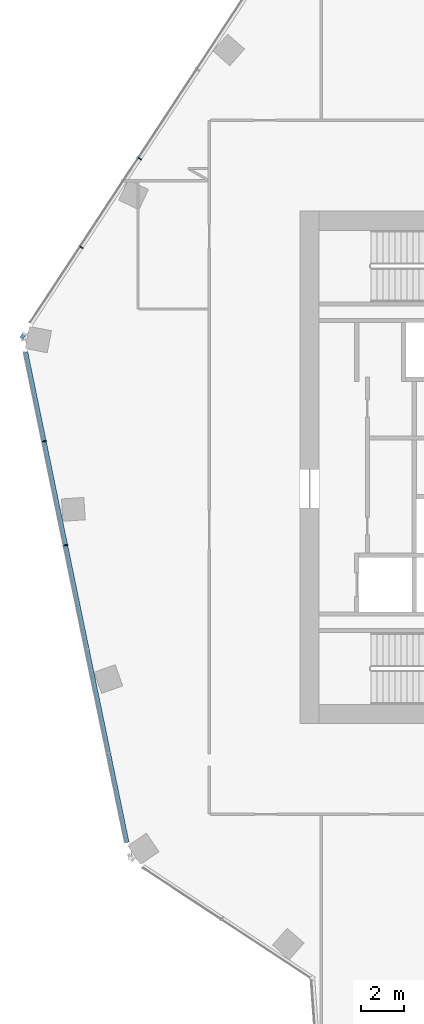
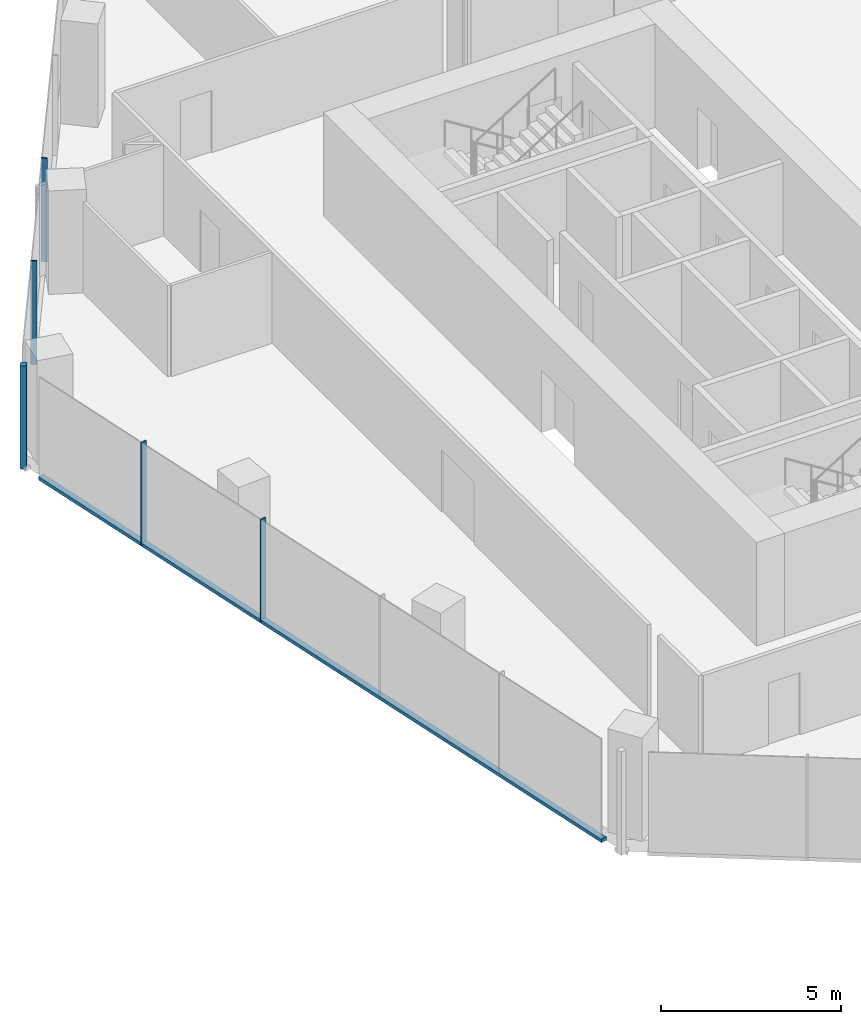
# One storey, part 6 of 24: 6 members, 2 elements without a shape of their own.
"""IFC4 building model written with IfcOpenShell, lengths in metres."""

import ifcopenshell
import ifcopenshell.guid

model = None  # the IFC model being written
_history = None  # IfcOwnerHistory: only IFC2X3 demands one
_inside = {}  # id of a spatial element -> (the spatial element, [elements in it])
_under = {}  # id of a project, library or spatial element -> (it, [spatial elements below it])
_declared = {}  # id of a project -> (the project, [libraries it declares])
_typed = {}  # id of a type object -> (the type object, [elements of that type])
_made_of = {}  # id of a material, layer set ... -> (it, [elements and type objects made of it])


def new_model(schema):
    """Start an empty IFC model of exactly this schema.

    Asked for "IFC4X3", IfcOpenShell would pick the latest addendum, in which some entities
    have other attributes; the version numbers below select the first issue.
    IFC2X3 requires an IfcOwnerHistory on every rooted entity: one is made here for all.
    """
    global model, _history
    if schema == "IFC4X3":
        model = ifcopenshell.file(schema_version=(4, 3, 0, 0))
    else:
        model = ifcopenshell.file(schema=schema)
    _inside.clear()
    _under.clear()
    _declared.clear()
    _typed.clear()
    _made_of.clear()
    _history = None
    if model.schema == "IFC2X3":
        org = make("IfcOrganization", Name="unknown")
        user = make(
            "IfcPersonAndOrganization",
            ThePerson=make("IfcPerson", FamilyName="unknown"),
            TheOrganization=org,
        )
        app = make(
            "IfcApplication",
            ApplicationDeveloper=org,
            Version="unknown",
            ApplicationFullName="unknown",
            ApplicationIdentifier="unknown",
        )
        _history = make(
            "IfcOwnerHistory",
            OwningUser=user,
            OwningApplication=app,
            ChangeAction="ADDED",
            CreationDate=0,
        )
    return model


def make(cls, **values):
    """One entity of the class cls with the attributes given. An attribute that is None is left unset."""
    return model.create_entity(
        cls, **{name: value for name, value in values.items() if value is not None}
    )


def rooted(cls, **values):
    """An entity with a GlobalId (a new one), such as an element, a storey or a relation."""
    return make(cls, GlobalId=ifcopenshell.guid.new(), OwnerHistory=_history, **values)


def si_unit(unit_type, name, prefix=None):
    """IfcSIUnit, for example si_unit("LENGTHUNIT", "METRE", prefix="MILLI")."""
    return make("IfcSIUnit", UnitType=unit_type, Prefix=prefix, Name=name)


def assignment(units):
    """IfcUnitAssignment: the units of a project."""
    return None if units is None else make("IfcUnitAssignment", Units=units)


def point(xyz):
    """IfcCartesianPoint."""
    return None if xyz is None else make("IfcCartesianPoint", Coordinates=xyz)


def direction(xyz):
    """IfcDirection."""
    return None if xyz is None else make("IfcDirection", DirectionRatios=xyz)


def frame(location, z_axis=None, x_axis=None):
    """IfcAxis2Placement3D, a coordinate frame: its origin and axes. An axis left out is left unset."""
    return make(
        "IfcAxis2Placement3D",
        Location=point(location),
        Axis=direction(z_axis),
        RefDirection=direction(x_axis),
    )


def frame_2d(location, x_axis=None):
    """IfcAxis2Placement2D, a coordinate frame in the plane: its origin and x axis."""
    return make(
        "IfcAxis2Placement2D", Location=point(location), RefDirection=direction(x_axis)
    )


def origin():
    """The frame at (0, 0, 0) with its axes left unset."""
    return frame((0.0, 0.0, 0.0))


def origin_2d():
    """The frame at (0, 0) in the plane with its x axis left unset."""
    return frame_2d((0.0, 0.0))


def place(relative_to, where):
    """IfcLocalPlacement: puts the frame where relative to a parent placement (None: the world)."""
    return make(
        "IfcLocalPlacement", PlacementRelTo=relative_to, RelativePlacement=where
    )


def context(
    kind, dimensions, precision=None, world=None, true_north=None, identifier=None
):
    """IfcGeometricRepresentationContext, for example the 3D "Model" context."""
    return make(
        "IfcGeometricRepresentationContext",
        ContextIdentifier=identifier,
        ContextType=kind,
        CoordinateSpaceDimension=dimensions,
        Precision=precision,
        WorldCoordinateSystem=world,
        TrueNorth=true_north,
    )


def subcontext(parent, identifier, kind, view, scale=None):
    """IfcGeometricRepresentationSubContext, for example "Body" below "Model"."""
    return make(
        "IfcGeometricRepresentationSubContext",
        ContextIdentifier=identifier,
        ContextType=kind,
        ParentContext=parent,
        TargetScale=scale,
        TargetView=view,
    )


def project(units=None, contexts=None):
    """IfcProject with its units and contexts."""
    return rooted(
        "IfcProject",
        Name="project",
        RepresentationContexts=contexts,
        UnitsInContext=assignment(units),
    )


def spatial(cls, under=None, at=None, **own):
    """A site, building, storey or space (cls), placed at a placement, below another one or the project."""
    s = rooted(cls, ObjectPlacement=at, **own)
    if under is not None:
        _under.setdefault(under.id(), (under, []))[1].append(s)
    return s


def profile(cls, at=None, kind="AREA", **sizes):
    """A parametric profile (cls). Its sizes go by their IFC names, for example OverallWidth=200.0."""
    return make(cls, ProfileType=kind, Position=at, **sizes)


def rectangle(**sizes):
    """IfcRectangleProfileDef."""
    return profile("IfcRectangleProfileDef", **sizes)


def extrude(swept, where, along, depth):
    """IfcExtrudedAreaSolid: the profile swept, set in the frame where, extruded along a direction by depth."""
    return make(
        "IfcExtrudedAreaSolid",
        SweptArea=swept,
        Position=where,
        ExtrudedDirection=direction(along),
        Depth=depth,
    )


def shape(context_of_items, identifier, shape_type, items):
    """IfcShapeRepresentation: the items that make up one representation, for example the "Body"."""
    return make(
        "IfcShapeRepresentation",
        ContextOfItems=context_of_items,
        RepresentationIdentifier=identifier,
        RepresentationType=shape_type,
        Items=items,
    )


def material(Name=None, Category=None):
    """IfcMaterial."""
    return make("IfcMaterial", Name=Name, Category=Category)


def material_profile(
    of_material, cross_section, Name=None, Category=None, Priority=None
):
    """IfcMaterialProfile: a cross section and its material."""
    return make(
        "IfcMaterialProfile",
        Name=Name,
        Material=of_material,
        Profile=cross_section,
        Priority=Priority,
        Category=Category,
    )


def profile_set(profiles, Name=None, composite=None):
    """IfcMaterialProfileSet."""
    return make(
        "IfcMaterialProfileSet",
        Name=Name,
        MaterialProfiles=profiles,
        CompositeProfile=composite,
    )


def made_of(thing, what):
    """Note that an element or type object is made of a material, layer set ...; save() writes the relation."""
    if what is not None:
        _made_of.setdefault(what.id(), (what, []))[1].append(thing)
    return thing


def type_object(cls, material=None, **own):
    """A type object (cls), such as IfcWallType, which elements share."""
    return made_of(rooted(cls, **own), material)


def element(
    cls,
    number,
    at=None,
    inside=None,
    cuts=None,
    type_object=None,
    material=None,
    context=None,
    identifier="Body",
    shape_type=None,
    held_by="IfcProductDefinitionShape",
    body=None,
    shapes=None,
    **own,
):
    """One element of the class cls, such as IfcWall. Its Tag is "e" and its number.

    at: its placement. inside: the storey or other place that contains it. cuts: it is an
    opening in that element (IfcRelVoidsElement). A single representation is given by context,
    identifier, shape_type and body (its items); several are given by shapes. held_by: the class
    of the entity that holds the representations. save() writes the other relations.
    """
    e = rooted(cls, Tag="e%d" % number, ObjectPlacement=at, **own)
    if body is not None:
        shapes = [shape(context, identifier, shape_type, body)]
    if shapes is not None:
        e.Representation = make(held_by, Representations=shapes)
    if inside is not None:
        _inside.setdefault(inside.id(), (inside, []))[1].append(e)
    if cuts is not None:
        rooted(
            "IfcRelVoidsElement", RelatingBuildingElement=cuts, RelatedOpeningElement=e
        )
    if type_object is not None:
        _typed.setdefault(type_object.id(), (type_object, []))[1].append(e)
    return made_of(e, material)


def aggregate(whole, parts):
    """IfcRelAggregates: a whole, such as a stair, and the parts it consists of."""
    return rooted("IfcRelAggregates", RelatingObject=whole, RelatedObjects=parts)


def save(model, path):
    """Write the relations noted so far, then the file.

    IfcRelAggregates (storeys below a building ...), IfcRelContainedInSpatialStructure (elements
    in a storey), IfcRelDefinesByType, IfcRelAssociatesMaterial and IfcRelDeclares: one each for
    every whole, place, type object, material and project.
    """
    for whole, parts in _under.values():
        aggregate(whole, parts)
    for where, things in _inside.values():
        rooted(
            "IfcRelContainedInSpatialStructure",
            RelatedElements=things,
            RelatingStructure=where,
        )
    for kind, things in _typed.values():
        rooted("IfcRelDefinesByType", RelatedObjects=things, RelatingType=kind)
    for what, things in _made_of.values():
        rooted("IfcRelAssociatesMaterial", RelatedObjects=things, RelatingMaterial=what)
    for by, libraries in _declared.values():
        rooted("IfcRelDeclares", RelatingContext=by, RelatedDefinitions=libraries)
    model.write(path)


model = new_model("IFC4")

# Units and contexts
model_context = context("Model", 3, precision=1e-05, world=origin(), true_north=direction((0.0, 1.0)))
body_context = subcontext(model_context, "Body", "Model", "MODEL_VIEW")
ifc_project = project(units=[si_unit("LENGTHUNIT", "METRE"), si_unit("AREAUNIT", "SQUARE_METRE"), si_unit("VOLUMEUNIT", "CUBIC_METRE"), si_unit("PLANEANGLEUNIT", "RADIAN"), si_unit("MASSUNIT", "GRAM", prefix="KILO")], contexts=[model_context])

# Site, building, storey
site_placement = place(None, origin())
site = spatial("IfcSite", under=ifc_project, at=site_placement, CompositionType="ELEMENT")
building_placement = place(site_placement, origin())
building = spatial("IfcBuilding", under=site, at=building_placement, Name="Orlundy Tower", CompositionType="ELEMENT")
storey_placement = place(building_placement, frame((0.0, 0.0, 242.5)))
storey = spatial("IfcBuildingStorey", under=building, at=storey_placement, Name="L64", CompositionType="ELEMENT", Elevation=242.5)

# Curtain wall, member
ifc_material_1 = material(Name="Aluminium bronze anodised", Category="aluminium")
curtain_wall_type = type_object("IfcCurtainWallType", Name="CW1 wall", PredefinedType="NOTDEFINED", material=ifc_material_1)
curtain_wall_1_placement = place(storey_placement, origin())
curtain_wall_1 = element("IfcCurtainWall", 1, at=curtain_wall_1_placement, inside=storey, type_object=curtain_wall_type, Name="CW1 run 015", PredefinedType="NOTDEFINED")
ifc_material_2 = material(Name="Aluminium bronze anodised", Category="aluminium")
ifc_material_profile_1 = material_profile(ifc_material_2, rectangle(XDim=0.179931640625, YDim=0.179931640625, at=origin_2d()), Name="CW1 corner post 180x180")
ifc_profile_set_1 = profile_set([ifc_material_profile_1], Name="Aluminium bronze anodised")
member_type_1 = type_object("IfcMemberType", Name="CW1 corner post 180x180", PredefinedType="MULLION", material=ifc_profile_set_1)
member_1_placement = place(storey_placement, frame((-31.98876953125, 6.121337890625, -0.39990234375), z_axis=(0.0, 0.0, 1.0), x_axis=(-0.835482225793, 0.5495174705, 0.0)))
member_1 = element("IfcMember", 2, at=member_1_placement, type_object=member_type_1, Name="CW1 mullion 27", PredefinedType="MULLION", context=body_context, shape_type="SweptSolid", body=[
    extrude(rectangle(XDim=0.179931640625, YDim=0.179931640625, at=origin_2d()), origin(), (0.0, 0.0, 1.0), 3.5),
])

# Curtain wall, members
curtain_wall_2_placement = place(storey_placement, origin())
curtain_wall_2 = element("IfcCurtainWall", 3, at=curtain_wall_2_placement, inside=storey, type_object=curtain_wall_type, Name="CW1 run 014", PredefinedType="NOTDEFINED")
ifc_material_3 = material(Name="Aluminium bronze anodised", Category="aluminium")
ifc_material_profile_2 = material_profile(ifc_material_3, rectangle(XDim=0.179931640625, YDim=0.050048828125, at=origin_2d()), Name="CW1 mullion 50x180")
ifc_profile_set_2 = profile_set([ifc_material_profile_2], Name="Aluminium bronze anodised")
member_type_2 = type_object("IfcMemberType", Name="CW1 mullion 50x180", PredefinedType="MULLION", material=ifc_profile_set_2)
member_2_placement = place(storey_placement, frame((-29.970703125, -3.65087890625, -0.39990234375), z_axis=(0.0, 0.0, 1.0), x_axis=(-0.979337428215, -0.202233038095, 0.0)))
member_2 = element("IfcMember", 4, at=member_2_placement, type_object=member_type_2, Name="CW1 mullion 25", PredefinedType="MULLION", context=body_context, shape_type="SweptSolid", body=[
    extrude(rectangle(XDim=0.179931640625, YDim=0.050048828125, at=origin_2d()), origin(), (0.0, 0.0, 1.0), 3.5),
])
member_3_placement = place(storey_placement, frame((-30.975830078125, 1.217041015625, -0.39990234375), z_axis=(0.0, 0.0, 1.0), x_axis=(-0.979337428215, -0.202233038095, 0.0)))
member_3 = element("IfcMember", 5, at=member_3_placement, type_object=member_type_2, Name="CW1 mullion 26", PredefinedType="MULLION", context=body_context, shape_type="SweptSolid", body=[
    extrude(rectangle(XDim=0.179931640625, YDim=0.050048828125, at=origin_2d()), origin(), (0.0, 0.0, 1.0), 3.5),
])

# Member
member_4_placement = place(storey_placement, frame((-29.23681640625, 10.30517578125, -0.39990234375), z_axis=(0.0, 0.0, 1.0), x_axis=(-0.835482225793, 0.5495174705, 0.0)))
member_4 = element("IfcMember", 6, at=member_4_placement, type_object=member_type_2, Name="CW1 mullion 28", PredefinedType="MULLION", context=body_context, shape_type="SweptSolid", body=[
    extrude(rectangle(XDim=0.179931640625, YDim=0.050048828125, at=origin_2d()), origin(), (0.0, 0.0, 1.0), 3.5),
])

member_5_placement = place(storey_placement, frame((-26.50537109375, 14.4580078125, -0.39990234375), z_axis=(0.0, 0.0, 1.0), x_axis=(-0.835482225793, 0.5495174705, 0.0)))
member_5 = element("IfcMember", 7, at=member_5_placement, type_object=member_type_2, Name="CW1 mullion 29", PredefinedType="MULLION", context=body_context, shape_type="SweptSolid", body=[
    extrude(rectangle(XDim=0.179931640625, YDim=0.050048828125, at=origin_2d()), origin(), (0.0, 0.0, 1.0), 3.5),
])

aggregate(curtain_wall_1, [member_1, member_4, member_5])

ifc_material_4 = material(Name="Aluminium bronze anodised", Category="aluminium")
ifc_material_profile_3 = material_profile(ifc_material_4, rectangle(XDim=0.179931640625, YDim=0.1201171875, at=origin_2d()), Name="CW1 transom 180x120")
ifc_profile_set_3 = profile_set([ifc_material_profile_3], Name="Aluminium bronze anodised")
member_type_3 = type_object("IfcMemberType", Name="CW1 transom 180x120", PredefinedType="USERDEFINED", material=ifc_profile_set_3)
member_6_placement = place(storey_placement, frame((-27.095458984375, -17.57470703125, -0.340087890625), z_axis=(-0.202238841113, 0.979336229875, 0.0), x_axis=(-0.979336229875, -0.202238841113, 0.0)))
member_6 = element("IfcMember", 8, at=member_6_placement, type_object=member_type_3, Name="CW1 transom", ObjectType="TRANSOM", PredefinedType="USERDEFINED", context=body_context, shape_type="SweptSolid", body=[
    extrude(rectangle(XDim=0.179931640625, YDim=0.1201171875, at=origin_2d()), origin(), (0.0, 0.0, 1.0), 23.46533203125),
])

aggregate(curtain_wall_2, [member_2, member_3, member_6])

save(model, "model.ifc")
